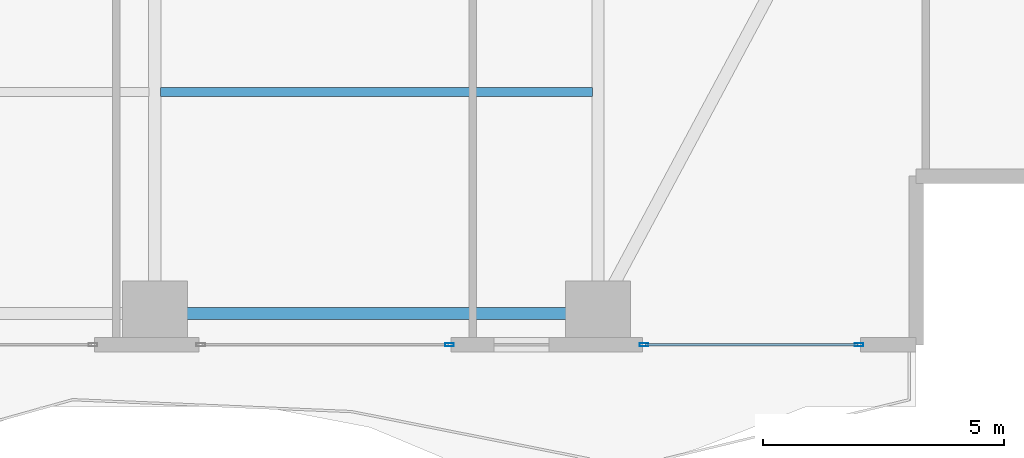
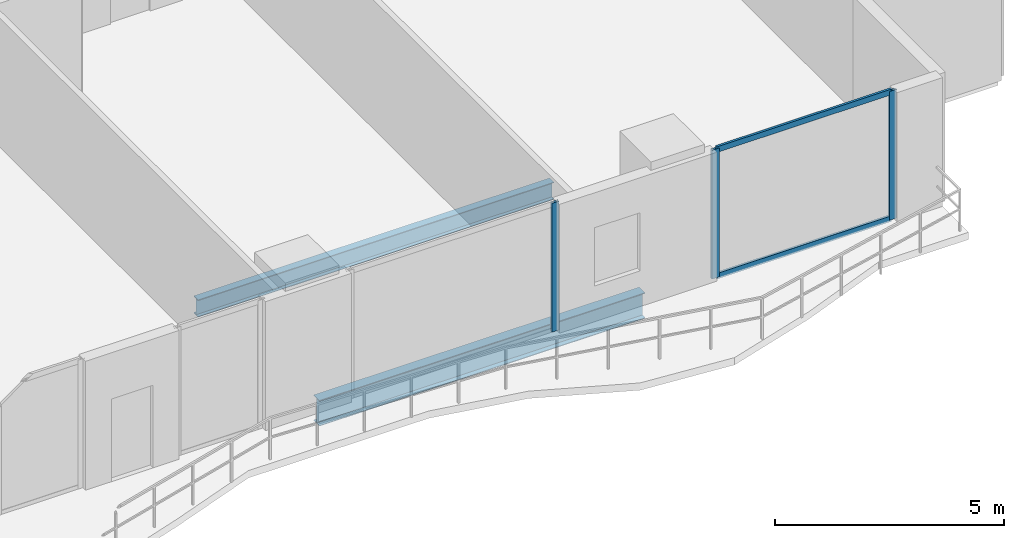
# One storey, part 9 of 27: 5 members, 2 beams, 2 elements without a shape of their own.
"""IFC4 building model written with IfcOpenShell, lengths in metres."""

from ifc_helpers import new_model, si_unit, direction, frame, origin, origin_2d, place, context, subcontext, project, spatial, hollow_rectangle, i_section, extrude, material, layer, layer_set, material_profile, profile_set, type_object, element, aggregate, save


model = new_model("IFC4")

# Units and contexts
model_context = context("Model", 3, precision=1e-05, world=origin(), true_north=direction((0.0, 1.0)))
body_context = subcontext(model_context, "Body", "Model", "MODEL_VIEW")
ifc_project = project(units=[si_unit("LENGTHUNIT", "METRE"), si_unit("AREAUNIT", "SQUARE_METRE"), si_unit("VOLUMEUNIT", "CUBIC_METRE"), si_unit("PLANEANGLEUNIT", "RADIAN"), si_unit("MASSUNIT", "GRAM", prefix="KILO")], contexts=[model_context])

# Site, building, storey
site_placement = place(None, origin())
site = spatial("IfcSite", under=ifc_project, at=site_placement, CompositionType="ELEMENT")
building_placement = place(site_placement, origin())
building = spatial("IfcBuilding", under=site, at=building_placement, Name="Zuhayl Quay Hotel", CompositionType="ELEMENT")
storey_placement = place(building_placement, frame((0.0, 0.0, 102.949951171875)))
storey = spatial("IfcBuildingStorey", under=building, at=storey_placement, Name="L25", CompositionType="ELEMENT", Elevation=102.949951171875)

# Beams
ifc_material_1 = material(Name="Steel ASTM A992 Grade 50", Category="steel")
ifc_material_profile_1 = material_profile(ifc_material_1, i_section(OverallWidth=0.25390625, OverallDepth=0.68310546875, WebThickness=0.012451171875, FlangeThickness=0.018798828125, at=origin_2d()), Name="W27X94")
ifc_profile_set_1 = profile_set([ifc_material_profile_1], Name="Steel ASTM A992 Grade 50")
beam_type_1 = type_object("IfcBeamType", Name="BM_B2_W27X94", PredefinedType="BEAM", material=ifc_profile_set_1)
beam_1_placement = place(storey_placement, frame((5.10009765625, -14.75, -0.5615234375), z_axis=(1.0, 0.0, 0.0), x_axis=(0.0, 1.0, 0.0)))
element("IfcBeam", 1, at=beam_1_placement, inside=storey, type_object=beam_type_1, Name="L25 Floor Beam RG_L25_03", PredefinedType="BEAM", context=body_context, shape_type="SweptSolid", body=[
    extrude(i_section(OverallWidth=0.25390625, OverallDepth=0.68310546875, WebThickness=0.012451171875, FlangeThickness=0.018798828125, at=origin_2d()), origin(), (0.0, 0.0, 1.0), 8.199951171875),
])
ifc_material_profile_2 = material_profile(ifc_material_1, i_section(OverallWidth=0.18994140625, OverallDepth=0.45703125, WebThickness=0.009033203125, FlangeThickness=0.014404296875, at=origin_2d()), Name="W18X50")
ifc_profile_set_2 = profile_set([ifc_material_profile_2], Name="Steel ASTM A992 Grade 50")
beam_type_2 = type_object("IfcBeamType", Name="BM_J2_W18X50", PredefinedType="JOIST", material=ifc_profile_set_2)
beam_2_placement = place(storey_placement, frame((4.718994140625, -10.14990234375, -0.448486328125), z_axis=(1.0, 0.0, 0.0), x_axis=(0.0, 1.0, 0.0)))
element("IfcBeam", 2, at=beam_2_placement, inside=storey, type_object=beam_type_2, Name="L25 Floor Beam FJ_L25_5_3", PredefinedType="JOIST", context=body_context, shape_type="SweptSolid", body=[
    extrude(i_section(OverallWidth=0.18994140625, OverallDepth=0.45703125, WebThickness=0.009033203125, FlangeThickness=0.014404296875, at=origin_2d()), origin(), (0.0, 0.0, 1.0), 8.9619140625),
])

# Curtain wall, members
ifc_material_2 = material(Name="Anodised Aluminium 6063-T6", Category="aluminium")
ifc_layer = layer(ifc_material_2, 0.179931640625, Name="Anodised Aluminium 6063-T6", Category="aluminium")
ifc_layer_set = layer_set([ifc_layer], Name="Anodised Aluminium 6063-T6")
curtain_wall_type = type_object("IfcCurtainWallType", Name="CW_SYS_Z2", PredefinedType="USERDEFINED", material=ifc_layer_set)
curtain_wall_1_placement = place(storey_placement, origin())
curtain_wall_1 = element("IfcCurtainWall", 3, at=curtain_wall_1_placement, inside=storey, type_object=curtain_wall_type, Name="L25 Curtain Wall ENV_L25_S_CW1", ObjectType="UNITISED CURTAIN WALL", PredefinedType="USERDEFINED")
ifc_material_3 = material(Name="Black-anodised aluminium 6063-T6", Category="aluminium")
ifc_material_profile_3 = material_profile(ifc_material_3, hollow_rectangle(XDim=0.06494140625, YDim=0.179931640625, WallThickness=0.00341796875, at=origin_2d()), Name="ALU180X65")
ifc_profile_set_3 = profile_set([ifc_material_profile_3], Name="Black-anodised aluminium 6063-T6")
member_type_1 = type_object("IfcMemberType", Name="MB_CW_MUL_180", PredefinedType="MULLION", material=ifc_profile_set_3)
member_1_placement = place(storey_placement, frame((19.217529296875, -15.39990234375, 0.0), z_axis=(0.0, 0.0, 1.0), x_axis=(0.0, -1.0, 0.0)))
member_1 = element("IfcMember", 4, at=member_1_placement, type_object=member_type_1, Name="CW-Z2 mullion 1", PredefinedType="MULLION", context=body_context, shape_type="SweptSolid", body=[
    extrude(hollow_rectangle(XDim=0.06494140625, YDim=0.179931640625, WallThickness=0.00341796875, at=origin_2d()), origin(), (0.0, 0.0, 1.0), 3.429931640625),
])
member_2_placement = place(storey_placement, frame((14.75244140625, -15.39990234375, 0.0), z_axis=(0.0, 0.0, 1.0), x_axis=(0.0, -1.0, 0.0)))
member_2 = element("IfcMember", 5, at=member_2_placement, type_object=member_type_1, Name="CW-Z2 mullion 2", PredefinedType="MULLION", context=body_context, shape_type="SweptSolid", body=[
    extrude(hollow_rectangle(XDim=0.06494140625, YDim=0.179931640625, WallThickness=0.00341796875, at=origin_2d()), origin(), (0.0, 0.0, 1.0), 3.429931640625),
])

# Curtain wall, member
curtain_wall_2_placement = place(storey_placement, origin())
curtain_wall_2 = element("IfcCurtainWall", 6, at=curtain_wall_2_placement, inside=storey, type_object=curtain_wall_type, Name="L25 Curtain Wall ENV_L25_S_CW2", ObjectType="UNITISED CURTAIN WALL", PredefinedType="USERDEFINED")
member_3_placement = place(storey_placement, frame((10.717529296875, -15.39990234375, 0.0), z_axis=(0.0, 0.0, 1.0), x_axis=(0.0, -1.0, 0.0)))
member_3 = element("IfcMember", 7, at=member_3_placement, type_object=member_type_1, Name="CW-Z2 mullion 1", PredefinedType="MULLION", context=body_context, shape_type="SweptSolid", body=[
    extrude(hollow_rectangle(XDim=0.06494140625, YDim=0.179931640625, WallThickness=0.00341796875, at=origin_2d()), origin(), (0.0, 0.0, 1.0), 3.429931640625),
])
aggregate(curtain_wall_2, [member_3])

# Member
ifc_material_profile_4 = material_profile(ifc_material_3, hollow_rectangle(XDim=0.06005859375, YDim=0.14990234375, WallThickness=0.00341796875, at=origin_2d()), Name="ALU150X60")
ifc_profile_set_4 = profile_set([ifc_material_profile_4], Name="Black-anodised aluminium 6063-T6")
member_type_2 = type_object("IfcMemberType", Name="MB_CW_TRN_150", PredefinedType="USERDEFINED", material=ifc_profile_set_4)
member_4_placement = place(storey_placement, frame((19.18505859375, -15.39990234375, 0.030029296875), z_axis=(-1.0, 0.0, 0.0), x_axis=(0.0, -1.0, 0.0)))
member_4 = element("IfcMember", 8, at=member_4_placement, type_object=member_type_2, Name="CW-Z2 transom 1.1", ObjectType="TRANSOM", PredefinedType="USERDEFINED", context=body_context, shape_type="SweptSolid", body=[
    extrude(hollow_rectangle(XDim=0.06005859375, YDim=0.14990234375, WallThickness=0.00341796875, at=origin_2d()), origin(), (0.0, 0.0, 1.0), 4.400146484375),
])

member_5_placement = place(storey_placement, frame((19.18505859375, -15.39990234375, 3.400146484375), z_axis=(-1.0, 0.0, 0.0), x_axis=(0.0, -1.0, 0.0)))
member_5 = element("IfcMember", 9, at=member_5_placement, type_object=member_type_2, Name="CW-Z2 transom 1.2", ObjectType="TRANSOM", PredefinedType="USERDEFINED", context=body_context, shape_type="SweptSolid", body=[
    extrude(hollow_rectangle(XDim=0.06005859375, YDim=0.14990234375, WallThickness=0.00341796875, at=origin_2d()), origin(), (0.0, 0.0, 1.0), 4.400146484375),
])

aggregate(curtain_wall_1, [member_1, member_2, member_4, member_5])

save(model, "model.ifc")
